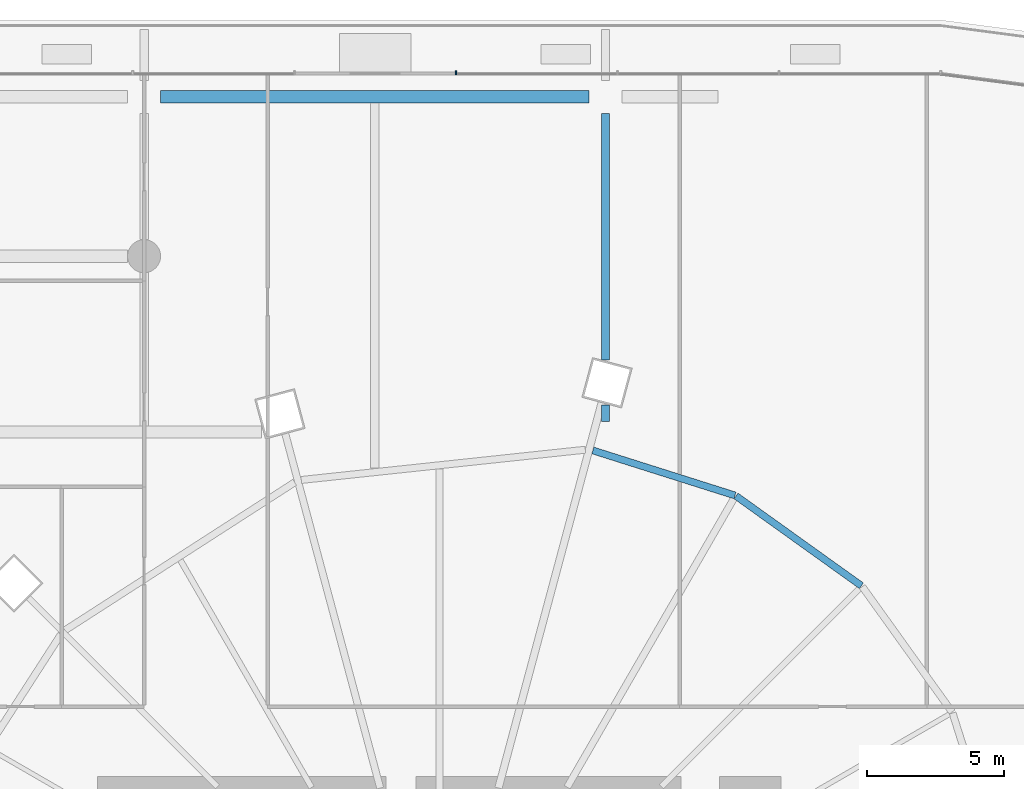
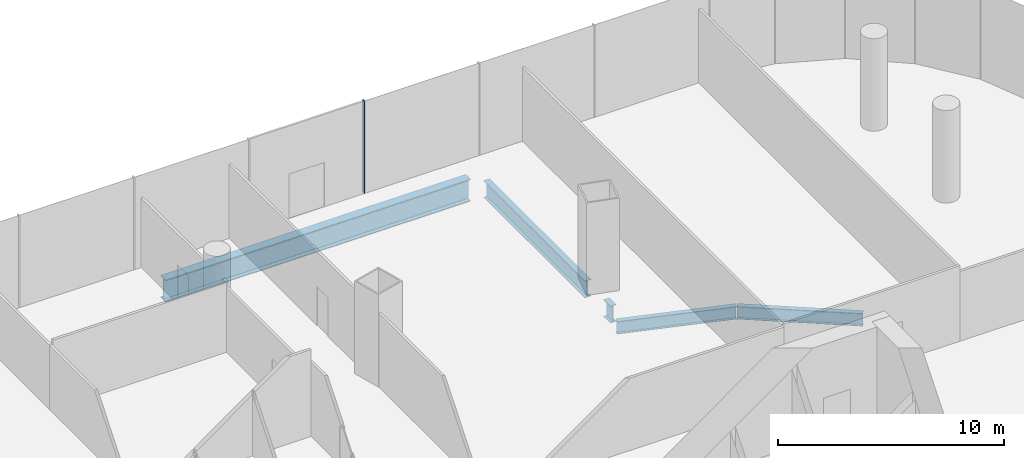
# One storey, part 28 of 51: 5 beams, 1 member, 1 element without a shape of its own.
"""IFC4 building model written with IfcOpenShell, lengths in metres."""

from ifc_helpers import new_model, si_unit, direction, frame, origin, origin_2d, place, context, subcontext, project, spatial, rectangle, i_section, extrude, material, material_profile, profile_set, type_object, element, aggregate, save


model = new_model("IFC4")

# Units and contexts
model_context = context("Model", 3, precision=1e-05, world=origin(), true_north=direction((0.0, 1.0)))
body_context = subcontext(model_context, "Body", "Model", "MODEL_VIEW")
ifc_project = project(units=[si_unit("LENGTHUNIT", "METRE"), si_unit("AREAUNIT", "SQUARE_METRE"), si_unit("VOLUMEUNIT", "CUBIC_METRE"), si_unit("PLANEANGLEUNIT", "RADIAN"), si_unit("MASSUNIT", "GRAM", prefix="KILO")], contexts=[model_context])

# Site, building, storey
site_placement = place(None, origin())
site = spatial("IfcSite", under=ifc_project, at=site_placement, CompositionType="ELEMENT")
building_placement = place(site_placement, origin())
building = spatial("IfcBuilding", under=site, at=building_placement, Name="Rimbun Link Towers", CompositionType="ELEMENT")
storey_placement = place(building_placement, frame((0.0, 0.0, 7.0)))
storey = spatial("IfcBuildingStorey", under=building, at=storey_placement, Name="L01", CompositionType="ELEMENT", Elevation=7.0)

# Curtain wall, member
ifc_material_1 = material(Name="Aluminium 6063-T6 and low-iron glass", Category="aluminium")
curtain_wall_type = type_object("IfcCurtainWallType", Name="CW3 podium shopfront", PredefinedType="NOTDEFINED", material=ifc_material_1)
curtain_wall_placement = place(storey_placement, origin())
curtain_wall = element("IfcCurtainWall", 1, at=curtain_wall_placement, inside=storey, type_object=curtain_wall_type, Name="CW3 L01 PD", PredefinedType="NOTDEFINED")
ifc_material_2 = material(Name="Aluminium 6063-T6", Category="aluminium")
ifc_material_profile_1 = material_profile(ifc_material_2, rectangle(XDim=0.14990234375, YDim=0.06005859375, at=origin_2d()), Name="MULLION 60X150")
ifc_profile_set_1 = profile_set([ifc_material_profile_1], Name="Aluminium 6063-T6")
member_type = type_object("IfcMemberType", Name="CW3 mullion 60X150", PredefinedType="MULLION", material=ifc_profile_set_1)
member_placement = place(storey_placement, frame((32.35302734375, 34.074951171875, 0.0), z_axis=(0.0, 0.0, 1.0), x_axis=(0.0, 1.0, 0.0)))
member = element("IfcMember", 2, at=member_placement, type_object=member_type, Name="CW3 mullion", PredefinedType="MULLION", context=body_context, shape_type="SweptSolid", body=[
    extrude(rectangle(XDim=0.14990234375, YDim=0.06005859375, at=origin_2d()), origin(), (0.0, 0.0, 1.0), 5.0),
])
aggregate(curtain_wall, [member])

# Beams
ifc_material_3 = material(Name="Steel S355J2", Category="steel")
ifc_material_profile_2 = material_profile(ifc_material_3, i_section(OverallWidth=0.449951171875, OverallDepth=1.199951171875, WebThickness=0.030029296875, FlangeThickness=0.044921875, at=origin_2d()), Name="PG 1200x450x30/45")
ifc_profile_set_2 = profile_set([ifc_material_profile_2], Name="Steel S355J2")
beam_type_1 = type_object("IfcBeamType", Name="PG 1200x450x30/45", PredefinedType="BEAM", material=ifc_profile_set_2)
beam_1_placement = place(storey_placement, frame((21.60009765625, 33.199951171875, -0.89990234375), z_axis=(1.0, 0.0, 0.0), x_axis=(0.0, 1.0, 0.0)))
element("IfcBeam", 3, at=beam_1_placement, inside=storey, type_object=beam_type_1, Name="Grid beam L01 +33.2", PredefinedType="BEAM", context=body_context, shape_type="SweptSolid", body=[
    extrude(i_section(OverallWidth=0.449951171875, OverallDepth=1.199951171875, WebThickness=0.030029296875, FlangeThickness=0.044921875, at=origin_2d()), origin(), (0.0, 0.0, 1.0), 15.599853515625),
])
ifc_material_4 = material(Name="Steel S355J2", Category="steel")
ifc_material_profile_3 = material_profile(ifc_material_4, i_section(OverallWidth=0.253662109375, OverallDepth=0.68359375, WebThickness=0.012451171875, FlangeThickness=0.01904296875, at=origin_2d()), Name="UB 686x254x140")
ifc_profile_set_3 = profile_set([ifc_material_profile_3], Name="Steel S355J2")
beam_type_2 = type_object("IfcBeamType", Name="UB 686x254x140", PredefinedType="BEAM", material=ifc_profile_set_3)
beam_2_placement = place(storey_placement, frame((47.118408203125, 15.39892578125, -0.641845703125), z_axis=(-0.81295433095, 0.582327447223, 0.0), x_axis=(-0.582327447223, -0.81295433095, 0.0)))
element("IfcBeam", 4, at=beam_2_placement, inside=storey, type_object=beam_type_2, Name="Edge beam T2 L01 00", PredefinedType="BEAM", context=body_context, shape_type="SweptSolid", body=[
    extrude(i_section(OverallWidth=0.253662109375, OverallDepth=0.68359375, WebThickness=0.012451171875, FlangeThickness=0.01904296875, at=origin_2d()), origin(), (0.0, 0.0, 1.0), 5.615966796875),
])
beam_3_placement = place(storey_placement, frame((42.515625, 18.687744140625, -0.641845703125), z_axis=(-0.953347835156, 0.301873988947, 0.0), x_axis=(-0.301873988947, -0.953347835156, 0.0)))
element("IfcBeam", 5, at=beam_3_placement, inside=storey, type_object=beam_type_2, Name="Edge beam T2 L01 01", PredefinedType="BEAM", context=body_context, shape_type="SweptSolid", body=[
    extrude(i_section(OverallWidth=0.253662109375, OverallDepth=0.68359375, WebThickness=0.012451171875, FlangeThickness=0.01904296875, at=origin_2d()), origin(), (0.0, 0.0, 1.0), 5.427490234375),
])
ifc_material_5 = material(Name="Steel S355J2", Category="steel")
ifc_material_profile_4 = material_profile(ifc_material_5, i_section(OverallWidth=0.305419921875, OverallDepth=0.91845703125, WebThickness=0.017333984375, FlangeThickness=0.02783203125, at=origin_2d()), Name="UB 914x305x253")
ifc_profile_set_4 = profile_set([ifc_material_profile_4], Name="Steel S355J2")
beam_type_3 = type_object("IfcBeamType", Name="UB 914x305x253", PredefinedType="BEAM", material=ifc_profile_set_4)
beam_4_placement = place(storey_placement, frame((37.800048828125, 21.38330078125, -0.75927734375), z_axis=(0.0, 1.0, 0.0), x_axis=(-1.0, 0.0, 0.0)))
element("IfcBeam", 6, at=beam_4_placement, inside=storey, type_object=beam_type_3, Name="Grid beam L01 +37.8", PredefinedType="BEAM", context=body_context, shape_type="SweptSolid", body=[
    extrude(i_section(OverallWidth=0.305419921875, OverallDepth=0.91845703125, WebThickness=0.017333984375, FlangeThickness=0.02783203125, at=origin_2d()), origin(), (0.0, 0.0, 1.0), 0.5986328125),
])
beam_5_placement = place(storey_placement, frame((37.800048828125, 23.629150390625, -0.75927734375), z_axis=(0.0, 1.0, 0.0), x_axis=(-1.0, 0.0, 0.0)))
element("IfcBeam", 7, at=beam_5_placement, inside=storey, type_object=beam_type_3, Name="Grid beam L01 +37.8", PredefinedType="BEAM", context=body_context, shape_type="SweptSolid", body=[
    extrude(i_section(OverallWidth=0.305419921875, OverallDepth=0.91845703125, WebThickness=0.017333984375, FlangeThickness=0.02783203125, at=origin_2d()), origin(), (0.0, 0.0, 1.0), 8.970947265625),
])

save(model, "model.ifc")
